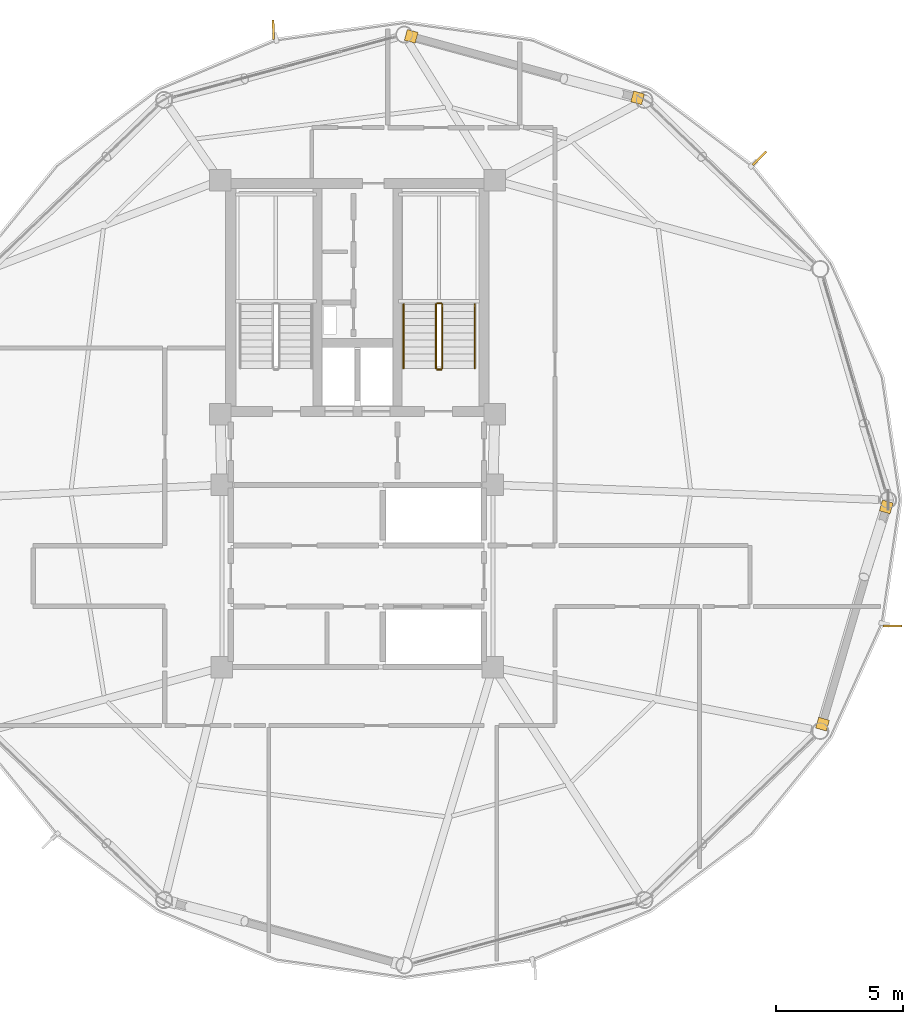
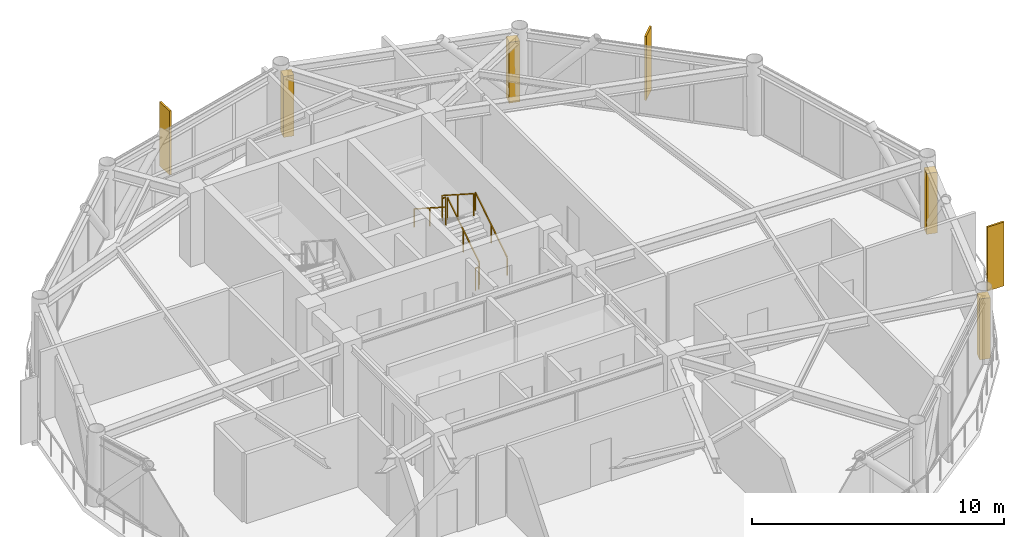
# One storey, part 28 of 28: 6 railings, 4 coverings, 3 shading devices.
"""IFC4 building model written with IfcOpenShell, lengths in metres."""

from ifc_helpers import new_model, si_unit, direction, frame, origin, origin_2d, place, context, subcontext, project, spatial, rectangle, extrude, source, transform, mapped, material, layer, layer_set, type_object, type_shapes, element, save


model = new_model("IFC4")

# Units and contexts
model_context = context("Model", 3, precision=1e-05, world=origin(), true_north=direction((0.0, 1.0)))
body_context = subcontext(model_context, "Body", "Model", "MODEL_VIEW")
ifc_project = project(units=[si_unit("LENGTHUNIT", "METRE"), si_unit("AREAUNIT", "SQUARE_METRE"), si_unit("VOLUMEUNIT", "CUBIC_METRE"), si_unit("PLANEANGLEUNIT", "RADIAN"), si_unit("MASSUNIT", "GRAM", prefix="KILO")], contexts=[model_context])

# Site, building, storey
site_placement = place(None, origin())
site = spatial("IfcSite", under=ifc_project, at=site_placement, CompositionType="ELEMENT")
building_placement = place(site_placement, origin())
building = spatial("IfcBuilding", under=site, at=building_placement, Name="Varnakorn Sky Granary", CompositionType="ELEMENT")
storey_placement = place(building_placement, frame((0.0, 0.0, 214.800048828125)))
storey = spatial("IfcBuildingStorey", under=building, at=storey_placement, Name="L54", CompositionType="ELEMENT", Elevation=214.800048828125)

# Railings
ifc_material_1 = material(Name="Brushed Stainless Steel 316", Category="steel")
railing_type_1 = type_object("IfcRailingType", Name="RL-STAIR-1100", PredefinedType="GUARDRAIL", material=ifc_material_1)
railing_1_placement = place(storey_placement, frame((6.35009765625, 5.199951171875, 0.179931640625)))
element("IfcRailing", 1, at=railing_1_placement, inside=storey, type_object=railing_type_1, Name="L54 ST-2 stair guard 1", PredefinedType="GUARDRAIL", context=body_context, shape_type="SweptSolid", body=[
    extrude(rectangle(XDim=0.048095703125, YDim=0.048095703125, at=origin_2d()), frame((0.0, 0.0, 1.076171875), z_axis=(0.0, 0.841162588446, 0.540782303519), x_axis=(-1.0, 0.0, 0.0)), (0.0, 0.0, 1.0), 2.995849609375),
    extrude(rectangle(XDim=0.0419921875, YDim=0.0419921875, at=origin_2d()), origin(), (0.0, 0.0, 1.0), 1.048095703125),
    extrude(rectangle(XDim=0.0419921875, YDim=0.0419921875, at=origin_2d()), frame((0.0, 1.260009765625, 0.81005859375)), (0.0, 0.0, 1.0), 1.048095703125),
    extrude(rectangle(XDim=0.0419921875, YDim=0.0419921875, at=origin_2d()), frame((0.0, 2.52001953125, 1.6201171875)), (0.0, 0.0, 1.0), 1.048095703125),
])
railing_2_placement = place(storey_placement, frame((6.300048828125, 7.77001953125, 1.800048828125)))
element("IfcRailing", 2, at=railing_2_placement, inside=storey, type_object=railing_type_1, Name="L54 ST-2 stair guard 2", PredefinedType="GUARDRAIL", context=body_context, shape_type="SweptSolid", body=[
    extrude(rectangle(XDim=0.048095703125, YDim=0.048095703125, at=origin_2d()), frame((0.0, 0.0, 1.076171875), z_axis=(-1.0, 0.0, 0.0), x_axis=(0.0, -1.0, 0.0)), (0.0, 0.0, 1.0), 0.150146484375),
    extrude(rectangle(XDim=0.0419921875, YDim=0.0419921875, at=origin_2d()), origin(), (0.0, 0.0, 1.0), 1.048095703125),
    extrude(rectangle(XDim=0.0419921875, YDim=0.0419921875, at=origin_2d()), frame((-0.150146484375, 0.0, 0.0)), (0.0, 0.0, 1.0), 1.048095703125),
])
railing_3_placement = place(storey_placement, frame((6.10009765625, 7.719970703125, 1.97998046875)))
element("IfcRailing", 3, at=railing_3_placement, inside=storey, type_object=railing_type_1, Name="L54 ST-2 stair guard 3", PredefinedType="GUARDRAIL", context=body_context, shape_type="SweptSolid", body=[
    extrude(rectangle(XDim=0.048095703125, YDim=0.048095703125, at=origin_2d()), frame((0.0, 0.0, 1.076171875), z_axis=(0.0, -0.841199657755, 0.540724639528), x_axis=(1.0, 0.0, 0.0)), (0.0, 0.0, 1.0), 2.995849609375),
    extrude(rectangle(XDim=0.0419921875, YDim=0.0419921875, at=origin_2d()), origin(), (0.0, 0.0, 1.0), 1.048095703125),
    extrude(rectangle(XDim=0.0419921875, YDim=0.0419921875, at=origin_2d()), frame((0.0, -1.260009765625, 0.81005859375)), (0.0, 0.0, 1.0), 1.048095703125),
    extrude(rectangle(XDim=0.0419921875, YDim=0.0419921875, at=origin_2d()), frame((0.0, -2.52001953125, 1.619873046875)), (0.0, 0.0, 1.0), 1.048095703125),
])
railing_4_placement = place(storey_placement, frame((6.300048828125, 5.14990234375, 0.0)))
element("IfcRailing", 4, at=railing_4_placement, inside=storey, type_object=railing_type_1, Name="L54 ST-2 stair guard 4", PredefinedType="GUARDRAIL", context=body_context, shape_type="SweptSolid", body=[
    extrude(rectangle(XDim=0.048095703125, YDim=0.048095703125, at=origin_2d()), frame((0.0, 0.0, 1.076171875), z_axis=(-1.0, 0.0, 0.0), x_axis=(0.0, -1.0, 0.0)), (0.0, 0.0, 1.0), 0.150146484375),
    extrude(rectangle(XDim=0.0419921875, YDim=0.0419921875, at=origin_2d()), origin(), (0.0, 0.0, 1.0), 1.048095703125),
    extrude(rectangle(XDim=0.0419921875, YDim=0.0419921875, at=origin_2d()), frame((-0.150146484375, 0.0, 0.0)), (0.0, 0.0, 1.0), 1.048095703125),
])
railing_type_2 = type_object("IfcRailingType", Name="RL-STAIR-920", PredefinedType="HANDRAIL", material=ifc_material_1)
railing_5_placement = place(storey_placement, frame((7.6298828125, 5.199951171875, 0.179931640625)))
element("IfcRailing", 5, at=railing_5_placement, inside=storey, type_object=railing_type_2, Name="L54 ST-2 stair handrail 1", PredefinedType="HANDRAIL", context=body_context, shape_type="SweptSolid", body=[
    extrude(rectangle(XDim=0.048095703125, YDim=0.048095703125, at=origin_2d()), frame((0.0, 0.0, 0.8759765625), z_axis=(0.0, 0.841162588446, 0.540782303519), x_axis=(-1.0, 0.0, 0.0)), (0.0, 0.0, 1.0), 2.995849609375),
    extrude(rectangle(XDim=0.0419921875, YDim=0.0419921875, at=origin_2d()), origin(), (0.0, 0.0, 1.0), 0.847900390625),
    extrude(rectangle(XDim=0.0419921875, YDim=0.0419921875, at=origin_2d()), frame((0.0, 1.260009765625, 0.81005859375)), (0.0, 0.0, 1.0), 0.847900390625),
    extrude(rectangle(XDim=0.0419921875, YDim=0.0419921875, at=origin_2d()), frame((0.0, 2.52001953125, 1.6201171875)), (0.0, 0.0, 1.0), 0.847900390625),
])
railing_6_placement = place(storey_placement, frame((4.820068359375, 7.719970703125, 1.97998046875)))
element("IfcRailing", 6, at=railing_6_placement, inside=storey, type_object=railing_type_2, Name="L54 ST-2 stair handrail 2", PredefinedType="HANDRAIL", context=body_context, shape_type="SweptSolid", body=[
    extrude(rectangle(XDim=0.048095703125, YDim=0.048095703125, at=origin_2d()), frame((0.0, 0.0, 0.8759765625), z_axis=(0.0, -0.841199657755, 0.540724639528), x_axis=(1.0, 0.0, 0.0)), (0.0, 0.0, 1.0), 2.995849609375),
    extrude(rectangle(XDim=0.0419921875, YDim=0.0419921875, at=origin_2d()), origin(), (0.0, 0.0, 1.0), 0.847900390625),
    extrude(rectangle(XDim=0.0419921875, YDim=0.0419921875, at=origin_2d()), frame((0.0, -1.260009765625, 0.81005859375)), (0.0, 0.0, 1.0), 0.847900390625),
    extrude(rectangle(XDim=0.0419921875, YDim=0.0419921875, at=origin_2d()), frame((0.0, -2.52001953125, 1.619873046875)), (0.0, 0.0, 1.0), 0.847900390625),
])

# Coverings
ifc_material_2 = material(Name="Anodised Bronze Aluminium Alloy 6063-T6", Category="aluminium")
ifc_layer = layer(ifc_material_2, 0.050048828125, Name="Anodised Bronze Aluminium Alloy 6063-T6")
ifc_layer_set = layer_set([ifc_layer], Name="Anodised Bronze Aluminium Alloy 6063-T6")
covering_type = type_object("IfcCoveringType", Name="CV-CLAD-50", PredefinedType="CLADDING", material=ifc_layer_set)
shared_shape_1 = source(origin(), body_context, "Body", "SweptSolid", [
    extrude(rectangle(XDim=0.43994140625, YDim=0.43994140625, at=origin_2d()), origin(), (0.0, 0.0, 1.0), 2.949951171875),
])
type_shapes(covering_type, [shared_shape_1])
for number, where, z_axis, x_axis, name in (
    (7, (5.125, 18.30224609375, -0.02001953125), (0.0, 0.0, 1.0), (0.96497071913, -0.262357601798, 0.0), "Bronze Corner Pilaster Closure L54-P03-A"),
    (8, (14.06005859375, 15.872802734375, -0.02001953125), (0.0, 0.0, 1.0), (0.96497071913, -0.262357601798, 0.0), "Bronze Corner Pilaster Closure L54-P03-B"),
    (9, (23.874755859375, -0.2734375, -0.02001953125), (0.0, 0.0, 1.0), (-0.281504190071, -0.959559998631, 0.0), "Bronze Corner Pilaster Closure L54-P12-A"),
    (10, (21.358642578125, -8.847412109375, -0.02001953125), (0.0, 0.0, 1.0), (-0.281504190071, -0.959559998631, 0.0), "Bronze Corner Pilaster Closure L54-P12-B"),
):
    element("IfcCovering", number, at=place(storey_placement, frame(where, z_axis=z_axis, x_axis=x_axis)), inside=storey, type_object=covering_type, Name=name, PredefinedType="CLADDING", context=body_context, shape_type="MappedRepresentation", body=[
        mapped(shared_shape_1, transform((0.0, 0.0, 0.0), x_axis=(1.0, 0.0, 0.0), y_axis=(0.0, 1.0, 0.0), z_axis=(0.0, 0.0, 1.0), scale=1.0)),
    ])

# Shading devices
shading_device_type = type_object("IfcShadingDeviceType", Name="SH-FIN-03", PredefinedType="USERDEFINED", material=ifc_material_2)
shared_shape_2 = source(origin(), body_context, "Body", "SweptSolid", [
    extrude(rectangle(XDim=0.0849609375, YDim=0.760009765625, at=origin_2d()), origin(), (0.0, 0.0, 1.0), 3.10009765625),
])
type_shapes(shading_device_type, [shared_shape_2])
for number, where, z_axis, x_axis, name in (
    (11, (18.867431640625, 13.490234375, -0.0400390625), (0.0, 0.0, 1.0), (-0.701096493792, 0.713066410928, 0.0), "Bronze Solar-Tracking Vertical Blade FIN L54-02"),
    (12, (-0.31787109375, 18.56591796875, -0.0400390625), (0.0, 0.0, 1.0), (-0.999475733514, -0.032376814483, 0.0), "Bronze Solar-Tracking Vertical Blade FIN L54-04"),
    (13, (24.121337890625, -4.970947265625, -0.0400390625), (0.0, 0.0, 1.0), (0.008028744554, 0.999967769111, 0.0), "Bronze Solar-Tracking Vertical Blade FIN L54-12"),
):
    element("IfcShadingDevice", number, at=place(storey_placement, frame(where, z_axis=z_axis, x_axis=x_axis)), inside=storey, type_object=shading_device_type, Name=name, ObjectType="FIN", PredefinedType="USERDEFINED", context=body_context, shape_type="MappedRepresentation", body=[
        mapped(shared_shape_2, transform((0.0, 0.0, 0.0), x_axis=(1.0, 0.0, 0.0), y_axis=(0.0, 1.0, 0.0), z_axis=(0.0, 0.0, 1.0), scale=1.0)),
    ])

save(model, "model.ifc")
